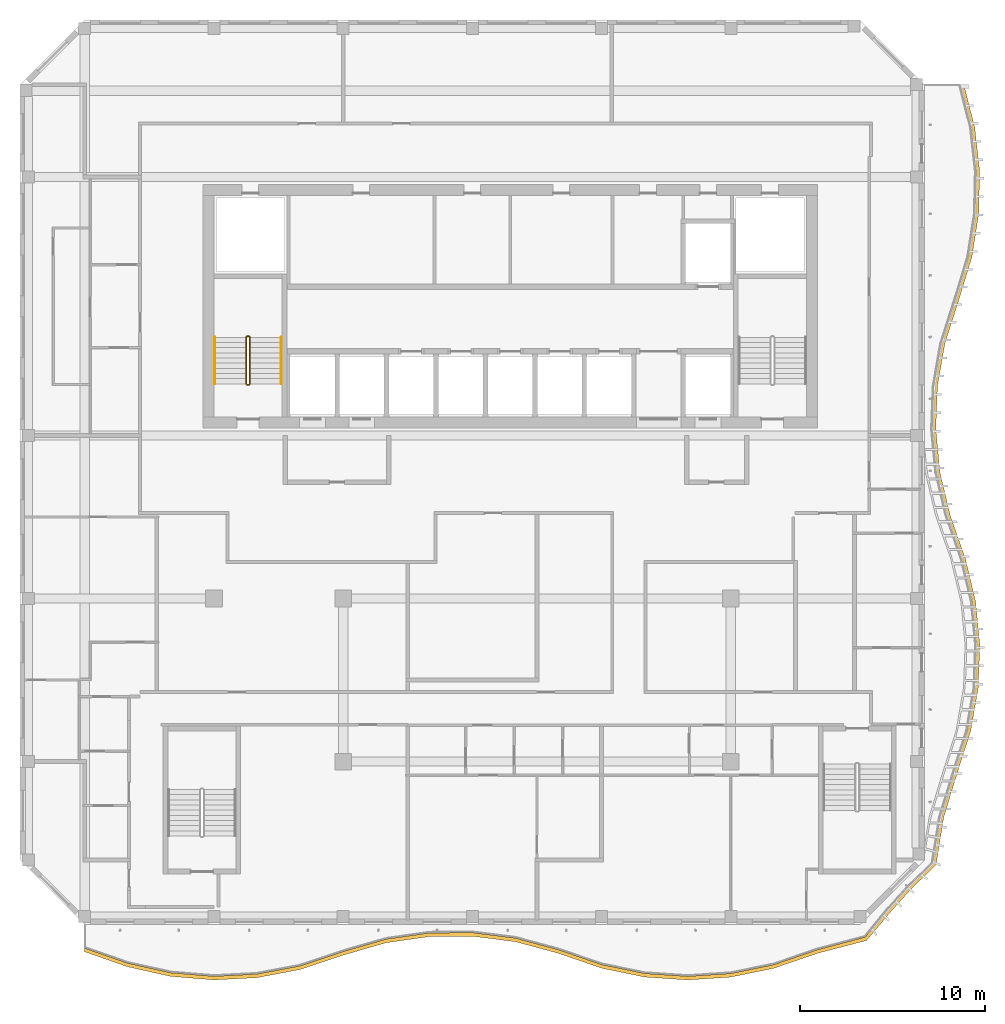
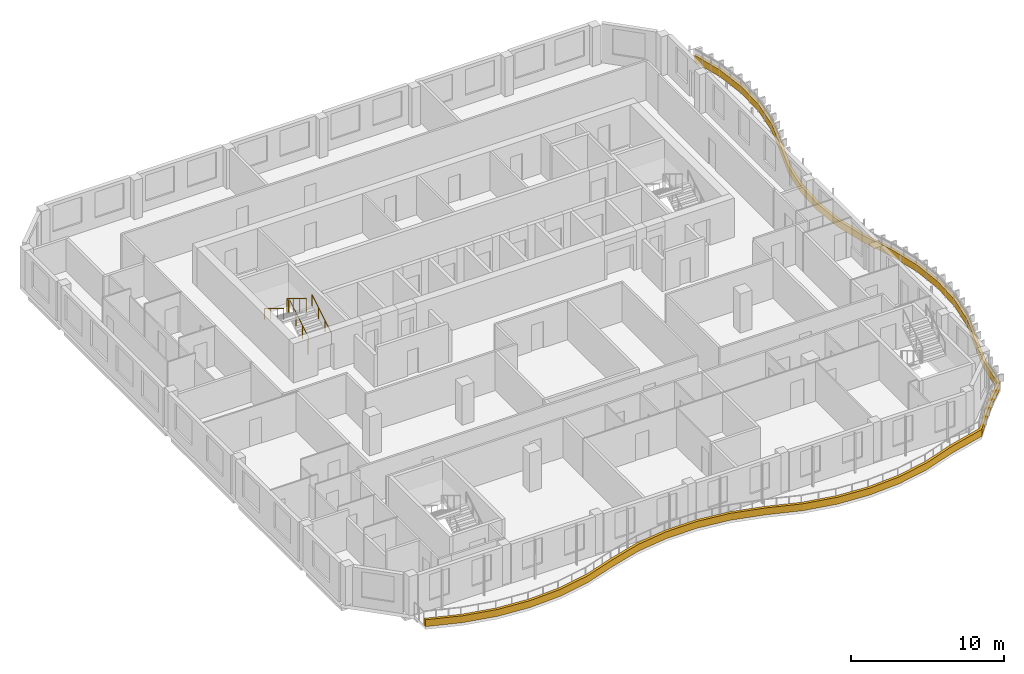
# One storey, part 13 of 18: 3 railings, 1 shading device.
"""IFC4 building model written with IfcOpenShell, lengths in metres."""

import ifcopenshell
import ifcopenshell.guid

model = None  # the IFC model being written
_history = None  # IfcOwnerHistory: only IFC2X3 demands one
_inside = {}  # id of a spatial element -> (the spatial element, [elements in it])
_under = {}  # id of a project, library or spatial element -> (it, [spatial elements below it])
_declared = {}  # id of a project -> (the project, [libraries it declares])
_typed = {}  # id of a type object -> (the type object, [elements of that type])
_made_of = {}  # id of a material, layer set ... -> (it, [elements and type objects made of it])


def new_model(schema):
    """Start an empty IFC model of exactly this schema.

    Asked for "IFC4X3", IfcOpenShell would pick the latest addendum, in which some entities
    have other attributes; the version numbers below select the first issue.
    IFC2X3 requires an IfcOwnerHistory on every rooted entity: one is made here for all.
    """
    global model, _history
    if schema == "IFC4X3":
        model = ifcopenshell.file(schema_version=(4, 3, 0, 0))
    else:
        model = ifcopenshell.file(schema=schema)
    _inside.clear()
    _under.clear()
    _declared.clear()
    _typed.clear()
    _made_of.clear()
    _history = None
    if model.schema == "IFC2X3":
        org = make("IfcOrganization", Name="unknown")
        user = make(
            "IfcPersonAndOrganization",
            ThePerson=make("IfcPerson", FamilyName="unknown"),
            TheOrganization=org,
        )
        app = make(
            "IfcApplication",
            ApplicationDeveloper=org,
            Version="unknown",
            ApplicationFullName="unknown",
            ApplicationIdentifier="unknown",
        )
        _history = make(
            "IfcOwnerHistory",
            OwningUser=user,
            OwningApplication=app,
            ChangeAction="ADDED",
            CreationDate=0,
        )
    return model


def make(cls, **values):
    """One entity of the class cls with the attributes given. An attribute that is None is left unset."""
    return model.create_entity(
        cls, **{name: value for name, value in values.items() if value is not None}
    )


def rooted(cls, **values):
    """An entity with a GlobalId (a new one), such as an element, a storey or a relation."""
    return make(cls, GlobalId=ifcopenshell.guid.new(), OwnerHistory=_history, **values)


def si_unit(unit_type, name, prefix=None):
    """IfcSIUnit, for example si_unit("LENGTHUNIT", "METRE", prefix="MILLI")."""
    return make("IfcSIUnit", UnitType=unit_type, Prefix=prefix, Name=name)


def assignment(units):
    """IfcUnitAssignment: the units of a project."""
    return None if units is None else make("IfcUnitAssignment", Units=units)


def point(xyz):
    """IfcCartesianPoint."""
    return None if xyz is None else make("IfcCartesianPoint", Coordinates=xyz)


def direction(xyz):
    """IfcDirection."""
    return None if xyz is None else make("IfcDirection", DirectionRatios=xyz)


def frame(location, z_axis=None, x_axis=None):
    """IfcAxis2Placement3D, a coordinate frame: its origin and axes. An axis left out is left unset."""
    return make(
        "IfcAxis2Placement3D",
        Location=point(location),
        Axis=direction(z_axis),
        RefDirection=direction(x_axis),
    )


def frame_2d(location, x_axis=None):
    """IfcAxis2Placement2D, a coordinate frame in the plane: its origin and x axis."""
    return make(
        "IfcAxis2Placement2D", Location=point(location), RefDirection=direction(x_axis)
    )


def origin():
    """The frame at (0, 0, 0) with its axes left unset."""
    return frame((0.0, 0.0, 0.0))


def origin_2d():
    """The frame at (0, 0) in the plane with its x axis left unset."""
    return frame_2d((0.0, 0.0))


def place(relative_to, where):
    """IfcLocalPlacement: puts the frame where relative to a parent placement (None: the world)."""
    return make(
        "IfcLocalPlacement", PlacementRelTo=relative_to, RelativePlacement=where
    )


def context(
    kind, dimensions, precision=None, world=None, true_north=None, identifier=None
):
    """IfcGeometricRepresentationContext, for example the 3D "Model" context."""
    return make(
        "IfcGeometricRepresentationContext",
        ContextIdentifier=identifier,
        ContextType=kind,
        CoordinateSpaceDimension=dimensions,
        Precision=precision,
        WorldCoordinateSystem=world,
        TrueNorth=true_north,
    )


def subcontext(parent, identifier, kind, view, scale=None):
    """IfcGeometricRepresentationSubContext, for example "Body" below "Model"."""
    return make(
        "IfcGeometricRepresentationSubContext",
        ContextIdentifier=identifier,
        ContextType=kind,
        ParentContext=parent,
        TargetScale=scale,
        TargetView=view,
    )


def project(units=None, contexts=None):
    """IfcProject with its units and contexts."""
    return rooted(
        "IfcProject",
        Name="project",
        RepresentationContexts=contexts,
        UnitsInContext=assignment(units),
    )


def spatial(cls, under=None, at=None, **own):
    """A site, building, storey or space (cls), placed at a placement, below another one or the project."""
    s = rooted(cls, ObjectPlacement=at, **own)
    if under is not None:
        _under.setdefault(under.id(), (under, []))[1].append(s)
    return s


def polyline(points):
    """IfcPolyline through the points."""
    return make("IfcPolyline", Points=[point(p) for p in points])


def profile(cls, at=None, kind="AREA", **sizes):
    """A parametric profile (cls). Its sizes go by their IFC names, for example OverallWidth=200.0."""
    return make(cls, ProfileType=kind, Position=at, **sizes)


def circle(**sizes):
    """IfcCircleProfileDef."""
    return profile("IfcCircleProfileDef", **sizes)


def outline(outer, holes=None, kind="AREA"):
    """IfcArbitraryClosedProfileDef: a profile drawn as a closed curve; with holes, ...WithVoids."""
    if holes is None:
        return make("IfcArbitraryClosedProfileDef", ProfileType=kind, OuterCurve=outer)
    return make(
        "IfcArbitraryProfileDefWithVoids",
        ProfileType=kind,
        OuterCurve=outer,
        InnerCurves=holes,
    )


def extrude(swept, where, along, depth):
    """IfcExtrudedAreaSolid: the profile swept, set in the frame where, extruded along a direction by depth."""
    return make(
        "IfcExtrudedAreaSolid",
        SweptArea=swept,
        Position=where,
        ExtrudedDirection=direction(along),
        Depth=depth,
    )


def shape(context_of_items, identifier, shape_type, items):
    """IfcShapeRepresentation: the items that make up one representation, for example the "Body"."""
    return make(
        "IfcShapeRepresentation",
        ContextOfItems=context_of_items,
        RepresentationIdentifier=identifier,
        RepresentationType=shape_type,
        Items=items,
    )


def source(mapping_origin, context_of_items, identifier, shape_type, items):
    """IfcRepresentationMap: a shape defined once, which mapped items show again and again."""
    return make(
        "IfcRepresentationMap",
        MappingOrigin=mapping_origin,
        MappedRepresentation=shape(context_of_items, identifier, shape_type, items),
    )


def transform(
    local_origin,
    x_axis=None,
    y_axis=None,
    z_axis=None,
    scale=None,
    scale2=None,
    scale3=None,
    uniform=True,
):
    """IfcCartesianTransformationOperator3D, or its non-uniform kind. x_axis, y_axis, z_axis: its Axis1, 2, 3."""
    if uniform:
        return make(
            "IfcCartesianTransformationOperator3D",
            Axis1=direction(x_axis),
            Axis2=direction(y_axis),
            LocalOrigin=point(local_origin),
            Scale=scale,
            Axis3=direction(z_axis),
        )
    return make(
        "IfcCartesianTransformationOperator3DnonUniform",
        Axis1=direction(x_axis),
        Axis2=direction(y_axis),
        LocalOrigin=point(local_origin),
        Scale=scale,
        Axis3=direction(z_axis),
        Scale2=scale2,
        Scale3=scale3,
    )


def mapped(mapping_source, mapping_target):
    """IfcMappedItem: shows the shape of a source again, moved by a transform."""
    return make(
        "IfcMappedItem", MappingSource=mapping_source, MappingTarget=mapping_target
    )


def material(Name=None, Category=None):
    """IfcMaterial."""
    return make("IfcMaterial", Name=Name, Category=Category)


def layer(
    of_material, thickness, ventilated=None, Name=None, Category=None, Priority=None
):
    """IfcMaterialLayer: one layer of a wall or slab, of a material (None: an air gap)."""
    return make(
        "IfcMaterialLayer",
        Material=of_material,
        LayerThickness=thickness,
        IsVentilated=ventilated,
        Name=Name,
        Category=Category,
        Priority=Priority,
    )


def layer_set(layers, Name=None):
    """IfcMaterialLayerSet."""
    return make("IfcMaterialLayerSet", MaterialLayers=layers, LayerSetName=Name)


def made_of(thing, what):
    """Note that an element or type object is made of a material, layer set ...; save() writes the relation."""
    if what is not None:
        _made_of.setdefault(what.id(), (what, []))[1].append(thing)
    return thing


def type_object(cls, material=None, **own):
    """A type object (cls), such as IfcWallType, which elements share."""
    return made_of(rooted(cls, **own), material)


def element(
    cls,
    number,
    at=None,
    inside=None,
    cuts=None,
    type_object=None,
    material=None,
    context=None,
    identifier="Body",
    shape_type=None,
    held_by="IfcProductDefinitionShape",
    body=None,
    shapes=None,
    **own,
):
    """One element of the class cls, such as IfcWall. Its Tag is "e" and its number.

    at: its placement. inside: the storey or other place that contains it. cuts: it is an
    opening in that element (IfcRelVoidsElement). A single representation is given by context,
    identifier, shape_type and body (its items); several are given by shapes. held_by: the class
    of the entity that holds the representations. save() writes the other relations.
    """
    e = rooted(cls, Tag="e%d" % number, ObjectPlacement=at, **own)
    if body is not None:
        shapes = [shape(context, identifier, shape_type, body)]
    if shapes is not None:
        e.Representation = make(held_by, Representations=shapes)
    if inside is not None:
        _inside.setdefault(inside.id(), (inside, []))[1].append(e)
    if cuts is not None:
        rooted(
            "IfcRelVoidsElement", RelatingBuildingElement=cuts, RelatedOpeningElement=e
        )
    if type_object is not None:
        _typed.setdefault(type_object.id(), (type_object, []))[1].append(e)
    return made_of(e, material)


def aggregate(whole, parts):
    """IfcRelAggregates: a whole, such as a stair, and the parts it consists of."""
    return rooted("IfcRelAggregates", RelatingObject=whole, RelatedObjects=parts)


def save(model, path):
    """Write the relations noted so far, then the file.

    IfcRelAggregates (storeys below a building ...), IfcRelContainedInSpatialStructure (elements
    in a storey), IfcRelDefinesByType, IfcRelAssociatesMaterial and IfcRelDeclares: one each for
    every whole, place, type object, material and project.
    """
    for whole, parts in _under.values():
        aggregate(whole, parts)
    for where, things in _inside.values():
        rooted(
            "IfcRelContainedInSpatialStructure",
            RelatedElements=things,
            RelatingStructure=where,
        )
    for kind, things in _typed.values():
        rooted("IfcRelDefinesByType", RelatedObjects=things, RelatingType=kind)
    for what, things in _made_of.values():
        rooted("IfcRelAssociatesMaterial", RelatedObjects=things, RelatingMaterial=what)
    for by, libraries in _declared.values():
        rooted("IfcRelDeclares", RelatingContext=by, RelatedDefinitions=libraries)
    model.write(path)


model = new_model("IFC4")

# Units and contexts
model_context = context("Model", 3, precision=1e-05, world=origin(), true_north=direction((0.0, 1.0)))
body_context = subcontext(model_context, "Body", "Model", "MODEL_VIEW")
ifc_project = project(units=[si_unit("LENGTHUNIT", "METRE"), si_unit("AREAUNIT", "SQUARE_METRE"), si_unit("VOLUMEUNIT", "CUBIC_METRE"), si_unit("PLANEANGLEUNIT", "RADIAN"), si_unit("MASSUNIT", "GRAM", prefix="KILO")], contexts=[model_context])

# Site, building, storey
site_placement = place(None, origin())
site = spatial("IfcSite", under=ifc_project, at=site_placement, CompositionType="ELEMENT")
building_placement = place(site_placement, origin())
building = spatial("IfcBuilding", under=site, at=building_placement, Name="Kilnfold Tower and Market Hall", CompositionType="ELEMENT")
storey_placement = place(building_placement, frame((0.0, 0.0, 270.39990234375)))
storey = spatial("IfcBuildingStorey", under=building, at=storey_placement, Name="L66", CompositionType="ELEMENT", Elevation=270.39990234375)

# Railings
ifc_material_1 = material(Name="Stainless steel 316", Category="steel")
railing_type_1 = type_object("IfcRailingType", Name="CORE STAIR GUARD 1100", PredefinedType="GUARDRAIL", material=ifc_material_1)
railing_1_placement = place(storey_placement, frame((-13.199951171875, 10.75, 0.0)))
element("IfcRailing", 1, at=railing_1_placement, inside=storey, type_object=railing_type_1, Name="L66 ST1 stair guard 1", PredefinedType="GUARDRAIL", context=body_context, shape_type="SweptSolid", body=[
    extrude(circle(Radius=0.02392578125, at=origin_2d()), frame((0.0, 0.0, 1.076171875), z_axis=(1.0, 0.0, 0.0), x_axis=(0.0, 1.0, 0.0)), (0.0, 0.0, 1.0), 0.099853515625),
    extrude(circle(Radius=0.02392578125, at=origin_2d()), frame((0.099853515625, 0.0, 1.076171875), z_axis=(0.271562723297, 0.271562723297, 0.923313259209), x_axis=(-0.707106781187, 0.707106781187, 0.0)), (0.0, 0.0, 1.0), 0.184326171875),
    extrude(circle(Radius=0.02392578125, at=origin_2d()), frame((0.14990234375, 0.050048828125, 1.24609375), z_axis=(0.0, 0.85478489116, 0.518982456201), x_axis=(-1.0, 0.0, 0.0)), (0.0, 0.0, 1.0), 2.9482421875),
    extrude(circle(Radius=0.02392578125, at=origin_2d()), frame((0.14990234375, 2.570068359375, 2.7763671875), z_axis=(-0.707106781187, 0.707106781187, 0.0), x_axis=(-0.707106781187, -0.707106781187, 0.0)), (0.0, 0.0, 1.0), 0.07080078125),
    extrude(circle(Radius=0.02392578125, at=origin_2d()), frame((0.099853515625, 2.6201171875, 2.7763671875), z_axis=(-1.0, 0.0, 0.0), x_axis=(0.0, -1.0, 0.0)), (0.0, 0.0, 1.0), 0.099853515625),
    extrude(circle(Radius=0.02392578125, at=origin_2d()), frame((0.0, 2.6201171875, 2.7763671875), z_axis=(-0.271895245746, -0.271895245746, 0.923117517265), x_axis=(0.707106781187, -0.707106781187, 0.0)), (0.0, 0.0, 1.0), 0.18408203125),
    extrude(circle(Radius=0.02392578125, at=origin_2d()), frame((-0.050048828125, 2.570068359375, 2.9462890625), z_axis=(0.0, -0.85478489116, 0.518982456201), x_axis=(1.0, 0.0, 0.0)), (0.0, 0.0, 1.0), 2.9482421875),
    extrude(circle(Radius=0.02099609375, at=origin_2d()), origin(), (0.0, 0.0, 1.0), 1.052001953125),
    extrude(circle(Radius=0.02099609375, at=origin_2d()), frame((0.099853515625, 0.0, 0.0)), (0.0, 0.0, 1.0), 1.052001953125),
    extrude(circle(Radius=0.02099609375, at=origin_2d()), frame((0.14990234375, 0.050048828125, 0.170166015625)), (0.0, 0.0, 1.0), 1.052001953125),
    extrude(circle(Radius=0.02099609375, at=origin_2d()), frame((0.14990234375, 0.89013671875, 0.68017578125)), (0.0, 0.0, 1.0), 1.052001953125),
    extrude(circle(Radius=0.02099609375, at=origin_2d()), frame((0.14990234375, 1.72998046875, 1.190185546875)), (0.0, 0.0, 1.0), 1.052001953125),
    extrude(circle(Radius=0.02099609375, at=origin_2d()), frame((0.14990234375, 2.570068359375, 1.7001953125)), (0.0, 0.0, 1.0), 1.052001953125),
    extrude(circle(Radius=0.02099609375, at=origin_2d()), frame((0.099853515625, 2.6201171875, 1.7001953125)), (0.0, 0.0, 1.0), 1.052001953125),
    extrude(circle(Radius=0.02099609375, at=origin_2d()), frame((0.0, 2.6201171875, 1.7001953125)), (0.0, 0.0, 1.0), 1.052001953125),
    extrude(circle(Radius=0.02099609375, at=origin_2d()), frame((-0.050048828125, 2.570068359375, 1.8701171875)), (0.0, 0.0, 1.0), 1.052001953125),
    extrude(circle(Radius=0.02099609375, at=origin_2d()), frame((-0.050048828125, 1.72998046875, 2.380126953125)), (0.0, 0.0, 1.0), 1.052001953125),
    extrude(circle(Radius=0.02099609375, at=origin_2d()), frame((-0.050048828125, 0.89013671875, 2.89013671875)), (0.0, 0.0, 1.0), 1.052001953125),
    extrude(circle(Radius=0.02099609375, at=origin_2d()), frame((-0.050048828125, 0.050048828125, 3.400146484375)), (0.0, 0.0, 1.0), 1.052001953125),
])
ifc_material_2 = material(Name="Stainless steel 316", Category="steel")
railing_type_2 = type_object("IfcRailingType", Name="CORE STAIR HANDRAIL 900", PredefinedType="HANDRAIL", material=ifc_material_2)
railing_2_placement = place(storey_placement, frame((-11.35009765625, 10.800048828125, 0.170166015625)))
element("IfcRailing", 2, at=railing_2_placement, inside=storey, type_object=railing_type_2, Name="L66 ST1 stair handrail 1", PredefinedType="HANDRAIL", context=body_context, shape_type="SweptSolid", body=[
    extrude(circle(Radius=0.02392578125, at=origin_2d()), frame((0.0, 0.0, 0.8759765625), z_axis=(0.0, 0.85478489116, 0.518982456201), x_axis=(-1.0, 0.0, 0.0)), (0.0, 0.0, 1.0), 2.9482421875),
    extrude(circle(Radius=0.02099609375, at=origin_2d()), origin(), (0.0, 0.0, 1.0), 0.851806640625),
    extrude(circle(Radius=0.02099609375, at=origin_2d()), frame((0.0, 0.840087890625, 0.510009765625)), (0.0, 0.0, 1.0), 0.851806640625),
    extrude(circle(Radius=0.02099609375, at=origin_2d()), frame((0.0, 1.679931640625, 1.02001953125)), (0.0, 0.0, 1.0), 0.851806640625),
    extrude(circle(Radius=0.02099609375, at=origin_2d()), frame((0.0, 2.52001953125, 1.530029296875)), (0.0, 0.0, 1.0), 0.851806640625),
])
railing_3_placement = place(storey_placement, frame((-14.949951171875, 13.320068359375, 1.8701171875)))
element("IfcRailing", 3, at=railing_3_placement, inside=storey, type_object=railing_type_2, Name="L66 ST1 stair handrail 2", PredefinedType="HANDRAIL", context=body_context, shape_type="SweptSolid", body=[
    extrude(circle(Radius=0.02392578125, at=origin_2d()), frame((0.0, 0.0, 0.8759765625), z_axis=(0.0, -0.85478489116, 0.518982456201), x_axis=(1.0, 0.0, 0.0)), (0.0, 0.0, 1.0), 2.9482421875),
    extrude(circle(Radius=0.02099609375, at=origin_2d()), origin(), (0.0, 0.0, 1.0), 0.851806640625),
    extrude(circle(Radius=0.02099609375, at=origin_2d()), frame((0.0, -0.840087890625, 0.510009765625)), (0.0, 0.0, 1.0), 0.851806640625),
    extrude(circle(Radius=0.02099609375, at=origin_2d()), frame((0.0, -1.679931640625, 1.02001953125)), (0.0, 0.0, 1.0), 0.851806640625),
    extrude(circle(Radius=0.02099609375, at=origin_2d()), frame((0.0, -2.52001953125, 1.530029296875)), (0.0, 0.0, 1.0), 0.851806640625),
])

# Shading device
ifc_material_3 = material(Name="Precast concrete C50/60", Category="concrete")
ifc_layer = layer(ifc_material_3, 0.550048828125)
ifc_layer_set = layer_set([ifc_layer], Name="Precast concrete C50/60")
shading_device_type = type_object("IfcShadingDeviceType", Name="BALCONY UPSTAND 550", PredefinedType="USERDEFINED", material=ifc_layer_set)
shared_shape = source(origin(), body_context, "Body", "SweptSolid", [
    extrude(outline(polyline([(-22.0, -19.97314453125), (-19.666748046875, -20.788330078125), (-17.333251953125, -21.3056640625), (-15.0, -21.498046875), (-12.666748046875, -21.376220703125), (-10.333251953125, -20.93359375), (-8.0, -20.154296875), (-5.666748046875, -19.4833984375), (-3.333251953125, -19.148681640625), (-1.0, -19.130615234375), (1.333251953125, -19.427978515625), (3.666748046875, -20.058349609375), (6.0, -20.86083984375), (8.333251953125, -21.341796875), (10.666748046875, -21.5), (13.0, -21.34423828125), (15.333251953125, -20.86572265625), (17.666748046875, -20.064453125), (20.3564453125, -19.360595703125), (21.652099609375, -17.818603515625), (22.7578125, -16.591064453125), (24.11962890625, -15.256591796875), (24.542236328125, -12.666748046875), (25.253662109375, -10.333251953125), (26.0009765625, -8.0), (26.406005859375, -5.666748046875), (26.491943359375, -3.333251953125), (26.263671875, -1.0), (25.707763671875, 1.333251953125), (24.88818359375, 3.666748046875), (24.334228515625, 6.0), (24.107666015625, 8.333251953125), (24.1953125, 10.666748046875), (24.602294921875, 13.0), (25.351318359375, 15.333251953125), (26.060791015625, 17.666748046875), (26.430419921875, 20.0), (26.482666015625, 22.333251953125), (26.2197265625, 24.666748046875), (25.626953125, 27.0), (25.427001953125, 27.0), (26.019775390625, 24.666748046875), (26.28271484375, 22.333251953125), (26.23046875, 20.0), (25.860595703125, 17.666748046875), (25.1513671875, 15.333251953125), (24.40234375, 13.0), (23.995361328125, 10.666748046875), (23.90771484375, 8.333251953125), (24.13427734375, 6.0), (24.68798828125, 3.666748046875), (25.5078125, 1.333251953125), (26.063720703125, -1.0), (26.2919921875, -3.333251953125), (26.2060546875, -5.666748046875), (25.80078125, -8.0), (25.0537109375, -10.333251953125), (24.34228515625, -12.666748046875), (23.934814453125, -15.18017578125), (22.6162109375, -16.44970703125), (21.510498046875, -17.67724609375), (20.280029296875, -19.17578125), (17.666748046875, -19.864501953125), (15.333251953125, -20.665771484375), (13.0, -21.144287109375), (10.666748046875, -21.300048828125), (8.333251953125, -21.141845703125), (6.0, -20.660888671875), (3.666748046875, -19.8583984375), (1.333251953125, -19.22802734375), (-1.0, -18.9306640625), (-3.333251953125, -18.94873046875), (-5.666748046875, -19.283447265625), (-8.0, -19.954345703125), (-10.333251953125, -20.733642578125), (-12.666748046875, -21.17626953125), (-15.0, -21.298095703125), (-17.333251953125, -21.105712890625), (-19.666748046875, -20.58837890625), (-22.0, -19.773193359375), (-22.0, -19.97314453125)])), origin(), (0.0, 0.0, 1.0), 0.550048828125),
])
shading_device_placement = place(storey_placement, origin())
element("IfcShadingDevice", 4, at=shading_device_placement, inside=storey, type_object=shading_device_type, Name="Balcony fascia L66", ObjectType="FASCIA", PredefinedType="USERDEFINED", context=body_context, shape_type="MappedRepresentation", body=[
    mapped(shared_shape, transform((0.0, 0.0, 0.0))),
])

save(model, "model.ifc")
